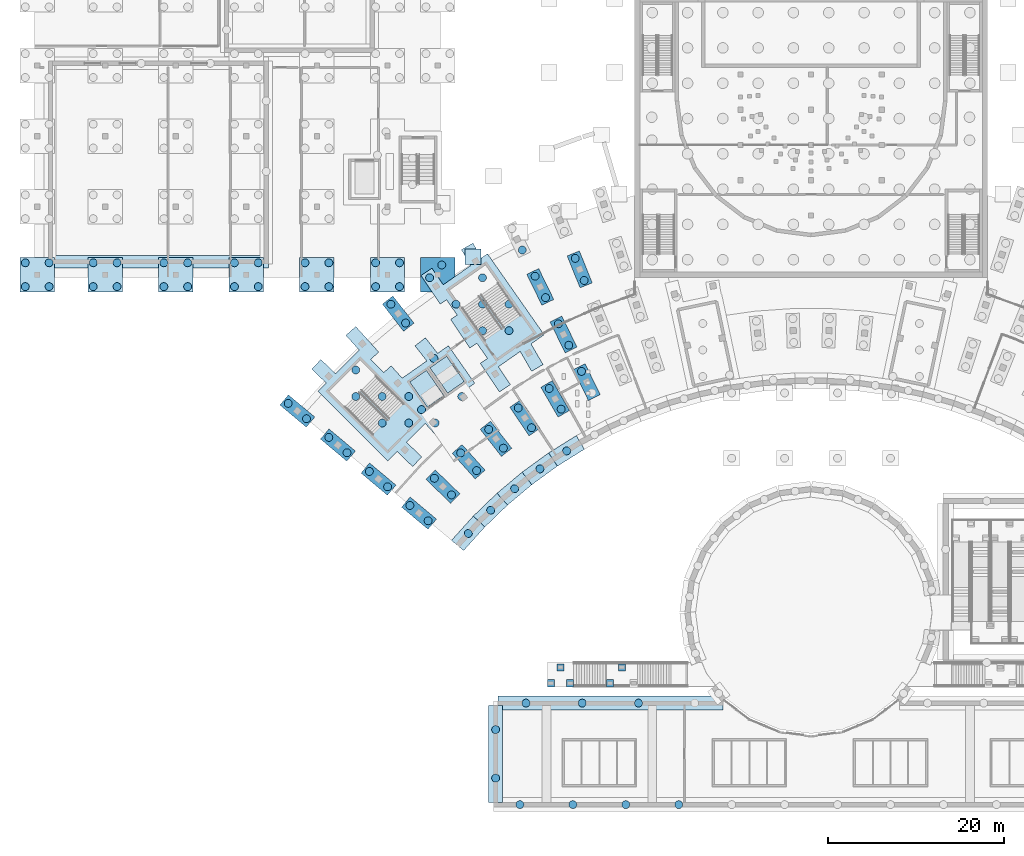
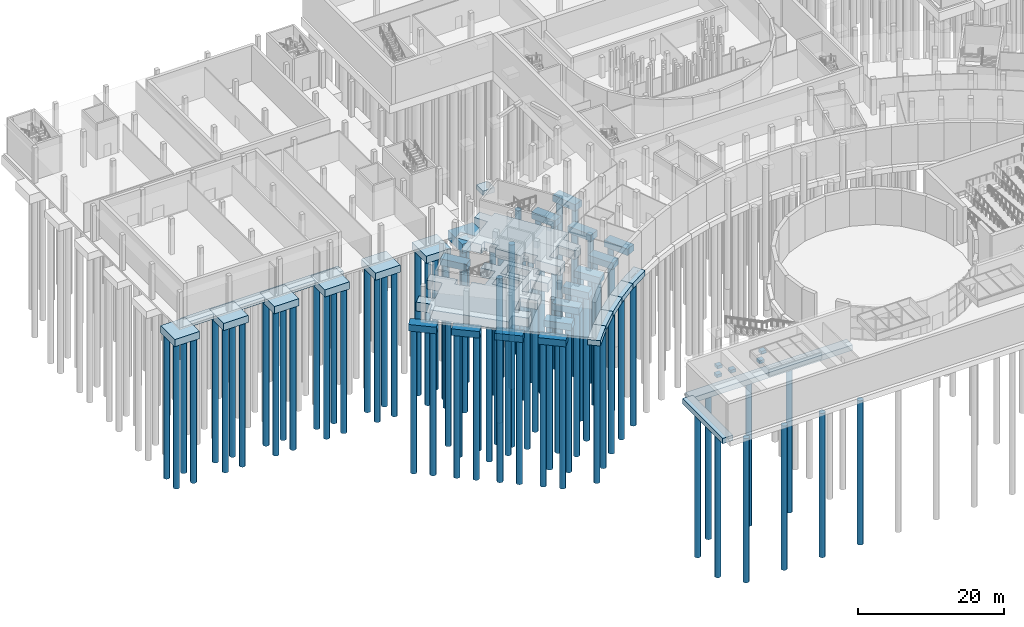
# One storey, part 1 of 66: 84 piles, 39 footings.
"""IFC4 building model written with IfcOpenShell, lengths in metres."""

from ifc_helpers import new_model, si_unit, direction, frame, origin, origin_2d, place, context, subcontext, project, spatial, polyline, circle, outline, extrude, material, material_profile, profile_set, type_object, element, save


model = new_model("IFC4")

# Units and contexts
model_context = context("Model", 3, precision=1e-05, world=origin(), true_north=direction((0.0, 1.0)))
body_context = subcontext(model_context, "Body", "Model", "MODEL_VIEW")
ifc_project = project(units=[si_unit("LENGTHUNIT", "METRE"), si_unit("AREAUNIT", "SQUARE_METRE"), si_unit("VOLUMEUNIT", "CUBIC_METRE"), si_unit("PLANEANGLEUNIT", "RADIAN"), si_unit("MASSUNIT", "GRAM", prefix="KILO")], contexts=[model_context])

# Site, building, storey
site_placement = place(None, origin())
site = spatial("IfcSite", under=ifc_project, at=site_placement, CompositionType="ELEMENT")
building_placement = place(site_placement, origin())
building = spatial("IfcBuilding", under=site, at=building_placement, Name="Lunette Opera House", CompositionType="ELEMENT")
storey_placement = place(building_placement, frame((0.0, 0.0, -6.0)))
storey = spatial("IfcBuildingStorey", under=building, at=storey_placement, Name="B1", CompositionType="ELEMENT", Elevation=-6.0)

# Piles
ifc_material_1 = material(Name="Concrete C40/50", Category="concrete")
ifc_material_profile = material_profile(ifc_material_1, circle(Radius=0.449951171875, at=origin_2d()), Name="BORED PILE 900")
ifc_profile_set = profile_set([ifc_material_profile], Name="Concrete C40/50")
pile_type = type_object("IfcPileType", Name="BORED PILE 900", PredefinedType="BORED", material=ifc_profile_set)
for number, where, z_axis, x_axis, name in (
    (1, (52.60302734375, 36.4140625, -1.300048828125), (0.0, 0.0, -1.0), (1.0, 0.0, 0.0), "pile-FC-CAP001-A"),
    (2, (50.534912109375, 38.14990234375, -1.300048828125), (0.0, 0.0, -1.0), (1.0, 0.0, 0.0), "pile-FC-CAP001-B"),
    (3, (55.2490234375, 39.35205078125, -1.300048828125), (0.0, 0.0, -1.0), (1.0, 0.0, 0.0), "pile-FC-CAP002-A"),
    (4, (53.306884765625, 41.22802734375, -1.300048828125), (0.0, 0.0, -1.0), (1.0, 0.0, 0.0), "pile-FC-CAP002-B"),
    (5, (58.093017578125, 42.09912109375, -1.300048828125), (0.0, 0.0, -1.0), (1.0, 0.0, 0.0), "pile-FC-CAP003-A"),
    (6, (56.287109375, 44.10498046875, -1.300048828125), (0.0, 0.0, -1.0), (1.0, 0.0, 0.0), "pile-FC-CAP003-B"),
    (7, (61.123046875, 44.64111328125, -1.300048828125), (0.0, 0.0, -1.0), (1.0, 0.0, 0.0), "pile-FC-CAP004-A"),
    (8, (59.4609375, 46.76904296875, -1.300048828125), (0.0, 0.0, -1.0), (1.0, 0.0, 0.0), "pile-FC-CAP004-B"),
    (9, (64.322021484375, 46.965087890625, -1.300048828125), (0.0, 0.0, -1.0), (1.0, 0.0, 0.0), "pile-FC-CAP005-A"),
    (10, (62.81201171875, 49.202880859375, -1.300048828125), (0.0, 0.0, -1.0), (1.0, 0.0, 0.0), "pile-FC-CAP005-B"),
    (11, (67.675048828125, 49.06005859375, -1.300048828125), (0.0, 0.0, -1.0), (1.0, 0.0, 0.0), "pile-FC-CAP006-A"),
    (12, (66.324951171875, 51.39794921875, -1.300048828125), (0.0, 0.0, -1.0), (1.0, 0.0, 0.0), "pile-FC-CAP006-B"),
    (13, (69.98193359375, 53.343017578125, -1.300048828125), (0.0, 0.0, -1.0), (1.0, 0.0, 0.0), "pile-FC-CAP007-B"),
    (14, (48.007080078125, 40.27001953125, -1.300048828125), (0.0, 0.0, -1.0), (1.0, 0.0, 0.0), "pile-FC-CAP023-A"),
    (15, (45.93896484375, 42.006103515625, -1.300048828125), (0.0, 0.0, -1.0), (1.0, 0.0, 0.0), "pile-FC-CAP023-B"),
    (16, (68.535888671875, 56.31005859375, -1.300048828125), (0.0, 0.0, -1.0), (1.0, 0.0, 0.0), "pile-FC-CAP024-A"),
    (17, (67.35205078125, 58.736083984375, -1.300048828125), (0.0, 0.0, -1.0), (1.0, 0.0, 0.0), "pile-FC-CAP024-B"),
    (18, (43.410888671875, 44.126953125, -1.300048828125), (0.0, 0.0, -1.0), (1.0, 0.0, 0.0), "pile-FC-CAP031-A"),
    (19, (41.343017578125, 45.863037109375, -1.300048828125), (0.0, 0.0, -1.0), (1.0, 0.0, 0.0), "pile-FC-CAP031-B"),
    (20, (65.906005859375, 61.702880859375, -1.300048828125), (0.0, 0.0, -1.0), (1.0, 0.0, 0.0), "pile-FC-CAP032-A"),
    (21, (64.721923828125, 64.12890625, -1.300048828125), (0.0, 0.0, -1.0), (1.0, 0.0, 0.0), "pile-FC-CAP032-B"),
    (22, (70.283935546875, 63.65087890625, -1.300048828125), (0.0, 0.0, -1.0), (1.0, 0.0, 0.0), "pile-FC-CAP033-A"),
    (23, (69.27197265625, 66.155029296875, -1.300048828125), (0.0, 0.0, -1.0), (1.0, 0.0, 0.0), "pile-FC-CAP033-B"),
    (24, (38.81494140625, 47.98388671875, -1.300048828125), (0.0, 0.0, -1.0), (1.0, 0.0, 0.0), "pile-FC-CAP039-A"),
    (25, (36.7470703125, 49.719970703125, -1.300048828125), (0.0, 0.0, -1.0), (1.0, 0.0, 0.0), "pile-FC-CAP039-B"),
    (26, (50.041015625, 58.824951171875, -1.300048828125), (0.0, 0.0, -1.0), (1.0, 0.0, 0.0), "pile-FC-CAP040-A"),
    (27, (48.37890625, 60.952880859375, -1.300048828125), (0.0, 0.0, -1.0), (1.0, 0.0, 0.0), "pile-FC-CAP040-B"),
    (28, (63.27587890625, 67.094970703125, -1.300048828125), (0.0, 0.0, -1.0), (1.0, 0.0, 0.0), "pile-FC-CAP041-A"),
    (29, (52.76806640625, 63.958984375, -1.699951171875), (0.0, 0.0, -1.0), (1.0, 0.0, 0.0), "pile-FC-RAFT05-01"),
    (30, (55.76806640625, 60.958984375, -1.699951171875), (0.0, 0.0, -1.0), (1.0, 0.0, 0.0), "pile-FC-RAFT05-02"),
    (31, (58.76806640625, 57.958984375, -1.699951171875), (0.0, 0.0, -1.0), (1.0, 0.0, 0.0), "pile-FC-RAFT05-03"),
    (32, (58.76806640625, 60.958984375, -1.699951171875), (0.0, 0.0, -1.0), (1.0, 0.0, 0.0), "pile-FC-RAFT05-04"),
    (33, (58.76806640625, 63.958984375, -1.699951171875), (0.0, 0.0, -1.0), (1.0, 0.0, 0.0), "pile-FC-RAFT05-05"),
    (34, (61.76806640625, 57.958984375, -1.699951171875), (0.0, 0.0, -1.0), (1.0, 0.0, 0.0), "pile-FC-RAFT05-06"),
    (35, (61.76806640625, 60.958984375, -1.699951171875), (0.0, 0.0, -1.0), (1.0, 0.0, 0.0), "pile-FC-RAFT05-07"),
    (36, (44.40087890625, 50.4970703125, -1.699951171875), (0.0, 0.0, -1.0), (1.0, 0.0, 0.0), "pile-FC-RAFT06-01"),
    (37, (44.40087890625, 53.4970703125, -1.699951171875), (0.0, 0.0, -1.0), (1.0, 0.0, 0.0), "pile-FC-RAFT06-02"),
    (38, (47.40087890625, 47.4970703125, -1.699951171875), (0.0, 0.0, -1.0), (1.0, 0.0, 0.0), "pile-FC-RAFT06-03"),
    (39, (47.40087890625, 50.4970703125, -1.699951171875), (0.0, 0.0, -1.0), (1.0, 0.0, 0.0), "pile-FC-RAFT06-04"),
    (40, (50.40087890625, 47.4970703125, -1.699951171875), (0.0, 0.0, -1.0), (1.0, 0.0, 0.0), "pile-FC-RAFT06-05"),
    (41, (50.40087890625, 50.4970703125, -1.699951171875), (0.0, 0.0, -1.0), (1.0, 0.0, 0.0), "pile-FC-RAFT06-06"),
    (42, (53.40087890625, 47.4970703125, -1.699951171875), (0.0, 0.0, -1.0), (1.0, 0.0, 0.0), "pile-FC-RAFT06-07"),
    (43, (51.85498046875, 49.011962890625, -1.699951171875), (0.0, 0.0, -1.0), (1.0, 0.0, 0.0), "pile-FC-RAFT06-08"),
    (44, (53.2548828125, 54.81201171875, -1.699951171875), (0.0, 0.0, -1.0), (1.0, 0.0, 0.0), "pile-FC-RAFT06-09"),
    (45, (56.40087890625, 50.4970703125, -1.699951171875), (0.0, 0.0, -1.0), (1.0, 0.0, 0.0), "pile-FC-RAFT06-10"),
    (46, (57.153076171875, 34.97802734375, -1.10009765625), (0.0, 0.0, -1.0), (1.0, 0.0, 0.0), "pile-FC-SF01-A"),
    (47, (59.68798828125, 37.60205078125, -1.10009765625), (0.0, 0.0, -1.0), (1.0, 0.0, 0.0), "pile-FC-SF02-A"),
    (48, (62.39892578125, 40.0439453125, -1.10009765625), (0.0, 0.0, -1.0), (1.0, 0.0, 0.0), "pile-FC-SF03-A"),
    (49, (65.27392578125, 42.2900390625, -1.10009765625), (0.0, 0.0, -1.0), (1.0, 0.0, 0.0), "pile-FC-SF04-A"),
    (50, (68.299072265625, 44.3310546875, -1.10009765625), (0.0, 0.0, -1.0), (1.0, 0.0, 0.0), "pile-FC-SF05-A"),
    (51, (6.949951171875, 62.949951171875, -1.39990234375), (0.0, 0.0, -1.0), (1.0, 0.0, 0.0), "pile-RW-CAP001-1"),
    (52, (9.64990234375, 62.949951171875, -1.39990234375), (0.0, 0.0, -1.0), (1.0, 0.0, 0.0), "pile-RW-CAP001-2"),
    (53, (6.949951171875, 65.64990234375, -1.39990234375), (0.0, 0.0, -1.0), (1.0, 0.0, 0.0), "pile-RW-CAP001-3"),
    (54, (9.64990234375, 65.64990234375, -1.39990234375), (0.0, 0.0, -1.0), (1.0, 0.0, 0.0), "pile-RW-CAP001-4"),
    (55, (14.64990234375, 62.949951171875, -1.39990234375), (0.0, 0.0, -1.0), (1.0, 0.0, 0.0), "pile-RW-CAP006-1"),
    (56, (17.35009765625, 62.949951171875, -1.39990234375), (0.0, 0.0, -1.0), (1.0, 0.0, 0.0), "pile-RW-CAP006-2"),
    (57, (14.64990234375, 65.64990234375, -1.39990234375), (0.0, 0.0, -1.0), (1.0, 0.0, 0.0), "pile-RW-CAP006-3"),
    (58, (17.35009765625, 65.64990234375, -1.39990234375), (0.0, 0.0, -1.0), (1.0, 0.0, 0.0), "pile-RW-CAP006-4"),
    (59, (22.64990234375, 62.949951171875, -1.39990234375), (0.0, 0.0, -1.0), (1.0, 0.0, 0.0), "pile-RW-CAP012-1"),
    (60, (25.35009765625, 62.949951171875, -1.39990234375), (0.0, 0.0, -1.0), (1.0, 0.0, 0.0), "pile-RW-CAP012-2"),
    (61, (22.64990234375, 65.64990234375, -1.39990234375), (0.0, 0.0, -1.0), (1.0, 0.0, 0.0), "pile-RW-CAP012-3"),
    (62, (25.35009765625, 65.64990234375, -1.39990234375), (0.0, 0.0, -1.0), (1.0, 0.0, 0.0), "pile-RW-CAP012-4"),
    (63, (30.64990234375, 62.949951171875, -1.39990234375), (0.0, 0.0, -1.0), (1.0, 0.0, 0.0), "pile-RW-CAP018-1"),
    (64, (33.35009765625, 62.949951171875, -1.39990234375), (0.0, 0.0, -1.0), (1.0, 0.0, 0.0), "pile-RW-CAP018-2"),
    (65, (30.64990234375, 65.64990234375, -1.39990234375), (0.0, 0.0, -1.0), (1.0, 0.0, 0.0), "pile-RW-CAP018-3"),
    (66, (33.35009765625, 65.64990234375, -1.39990234375), (0.0, 0.0, -1.0), (1.0, 0.0, 0.0), "pile-RW-CAP018-4"),
    (67, (38.64990234375, 62.949951171875, -1.39990234375), (0.0, 0.0, -1.0), (1.0, 0.0, 0.0), "pile-RW-CAP025-1"),
    (68, (41.35009765625, 62.949951171875, -1.39990234375), (0.0, 0.0, -1.0), (1.0, 0.0, 0.0), "pile-RW-CAP025-2"),
    (69, (38.64990234375, 65.64990234375, -1.39990234375), (0.0, 0.0, -1.0), (1.0, 0.0, 0.0), "pile-RW-CAP025-3"),
    (70, (41.35009765625, 65.64990234375, -1.39990234375), (0.0, 0.0, -1.0), (1.0, 0.0, 0.0), "pile-RW-CAP025-4"),
    (71, (46.64990234375, 62.949951171875, -1.39990234375), (0.0, 0.0, -1.0), (1.0, 0.0, 0.0), "pile-RW-CAP032-1"),
    (72, (49.35009765625, 62.949951171875, -1.39990234375), (0.0, 0.0, -1.0), (1.0, 0.0, 0.0), "pile-RW-CAP032-2"),
    (73, (46.64990234375, 65.64990234375, -1.39990234375), (0.0, 0.0, -1.0), (1.0, 0.0, 0.0), "pile-RW-CAP032-3"),
    (74, (49.35009765625, 65.64990234375, -1.39990234375), (0.0, 0.0, -1.0), (1.0, 0.0, 0.0), "pile-RW-CAP032-4"),
    (75, (54.14990234375, 65.39892578125, -1.699951171875), (0.0, 0.0, -1.0), (1.0, 0.0, 0.0), "pile-RW-CAP035-1"),
    (76, (63.0, 4.25, -1.10009765625), (0.0, 0.0, -1.0), (1.0, 0.0, 0.0), "pile-SF-SFCNS-1"),
    (77, (69.0, 4.25, -1.10009765625), (0.0, 0.0, -1.0), (1.0, 0.0, 0.0), "pile-SF-SFCNS-2"),
    (78, (75.0, 4.25, -1.10009765625), (0.0, 0.0, -1.0), (1.0, 0.0, 0.0), "pile-SF-SFCNS-3"),
    (79, (81.0, 4.25, -1.10009765625), (0.0, 0.0, -1.0), (1.0, 0.0, 0.0), "pile-SF-SFCNS-4"),
    (80, (60.25, 7.25, -1.10009765625), (0.0, 0.0, -1.0), (1.0, 0.0, 0.0), "pile-SF-SFCNW-1"),
    (81, (60.25, 12.75, -1.10009765625), (0.0, 0.0, -1.0), (1.0, 0.0, 0.0), "pile-SF-SFCNW-2"),
    (82, (63.68798828125, 15.75, -1.10009765625), (0.0, 0.0, -1.0), (1.0, 0.0, 0.0), "pile-SF-SFCNNW-1"),
    (83, (70.06201171875, 15.75, -1.10009765625), (0.0, 0.0, -1.0), (1.0, 0.0, 0.0), "pile-SF-SFCNNW-2"),
    (84, (76.43798828125, 15.75, -1.10009765625), (0.0, 0.0, -1.0), (1.0, 0.0, 0.0), "pile-SF-SFCNNW-3"),
):
    element("IfcPile", number, at=place(storey_placement, frame(where, z_axis=z_axis, x_axis=x_axis)), inside=storey, type_object=pile_type, Name=name, PredefinedType="BORED", context=body_context, shape_type="SweptSolid", body=[
        extrude(circle(Radius=0.449951171875, at=origin_2d()), origin(), (0.0, 0.0, 1.0), 24.10009765625),
    ])

# Footings
ifc_material_2 = material(Name="Concrete C40/50", Category="concrete")
footing_type_1 = type_object("IfcFootingType", Name="CORE RAFT 1500", PredefinedType="PILE_CAP", material=ifc_material_2)
footing_1_placement = place(storey_placement, frame((0.0, 0.0, -1.800048828125)))
element("IfcFooting", 85, at=footing_1_placement, inside=storey, type_object=footing_type_1, Name="ftg-FC-RAFT05", PredefinedType="PILE_CAP", context=body_context, shape_type="SweptSolid", body=[
    extrude(outline(polyline([(59.327880859375, 54.81396484375), (58.5, 54.2548828125), (60.680908203125, 51.02197265625), (61.924072265625, 51.861083984375), (60.569091796875, 53.8701171875), (63.034912109375, 55.596923828125), (64.324951171875, 53.362060546875), (65.625, 54.112060546875), (64.26904296875, 56.4609375), (65.75, 57.498046875), (59.325927734375, 66.673095703125), (58.64697265625, 66.197021484375), (57.675048828125, 67.882080078125), (56.375, 67.132080078125), (57.4140625, 65.333984375), (54.304931640625, 63.156982421875), (53.031982421875, 65.04296875), (51.7890625, 64.2041015625), (53.969970703125, 60.970947265625), (54.680908203125, 61.450927734375), (55.885009765625, 59.72998046875), (55.14404296875, 59.22998046875), (57.324951171875, 55.9970703125), (58.123046875, 56.534912109375), (59.327880859375, 54.81396484375)])), origin(), (0.0, 0.0, 1.0), 1.5),
])
footing_2_placement = place(storey_placement, frame((0.0, 0.0, -1.800048828125)))
element("IfcFooting", 86, at=footing_2_placement, inside=storey, type_object=footing_type_1, Name="ftg-FC-RAFT06", PredefinedType="PILE_CAP", context=body_context, shape_type="SweptSolid", body=[
    extrude(outline(polyline([(40.10302734375, 51.087890625), (48.02294921875, 43.16796875), (49.10107421875, 44.2470703125), (50.843994140625, 42.56396484375), (51.885986328125, 43.64306640625), (50.162109375, 45.306884765625), (52.284912109375, 47.429931640625), (53.923095703125, 45.610107421875), (55.0380859375, 46.614013671875), (53.1689453125, 48.68896484375), (55.65087890625, 50.427001953125), (57.2080078125, 48.43505859375), (58.389892578125, 49.35791015625), (56.882080078125, 51.2880859375), (57.886962890625, 51.991943359375), (54.903076171875, 56.2509765625), (53.676025390625, 55.39111328125), (52.2939453125, 57.158935546875), (51.112060546875, 56.236083984375), (52.446044921875, 54.529052734375), (49.6640625, 52.58203125), (48.4140625, 53.970947265625), (47.583984375, 53.22412109375), (46.096923828125, 54.7109375), (47.008056640625, 55.531982421875), (44.39892578125, 58.429931640625), (43.283935546875, 57.426025390625), (44.780029296875, 55.764892578125), (42.10400390625, 53.089111328125), (40.447998046875, 54.68798828125), (39.406005859375, 53.60888671875), (41.0439453125, 52.028076171875), (40.10302734375, 51.087890625)]), holes=[polyline([(54.408935546875, 50.593994140625), (52.52392578125, 49.27490234375), (50.51708984375, 52.14208984375), (52.402099609375, 53.4609375), (54.408935546875, 50.593994140625)]), polyline([(56.702880859375, 52.199951171875), (54.818115234375, 50.881103515625), (52.81103515625, 53.748046875), (54.695068359375, 55.06689453125), (56.702880859375, 52.199951171875)])]), origin(), (0.0, 0.0, 1.0), 1.5),
])
footing_3_placement = place(storey_placement, frame((0.0, 0.0, -1.800048828125)))
element("IfcFooting", 87, at=footing_3_placement, inside=storey, type_object=footing_type_1, Name="ftg-RW-CAP035", PredefinedType="PILE_CAP", context=body_context, shape_type="SweptSolid", body=[
    extrude(outline(polyline([(51.75, 62.35009765625), (53.0390625, 62.35009765625), (51.7890625, 64.2041015625), (53.031982421875, 65.04296875), (54.304931640625, 63.156982421875), (55.64990234375, 64.09912109375), (55.64990234375, 66.25), (51.75, 66.25), (51.75, 62.35009765625)])), origin(), (0.0, 0.0, 1.0), 1.5),
])
ifc_material_3 = material(Name="Concrete C35/45", Category="concrete")
footing_type_2 = type_object("IfcFootingType", Name="LIFT PIT FLOOR 300", PredefinedType="PAD_FOOTING", material=ifc_material_3)
footing_4_placement = place(storey_placement, frame((0.0, 0.0, -1.800048828125)))
element("IfcFooting", 88, at=footing_4_placement, inside=storey, type_object=footing_type_2, Name="FL2 pit floor", PredefinedType="PAD_FOOTING", context=body_context, shape_type="SweptSolid", body=[
    extrude(outline(polyline([(56.702880859375, 52.199951171875), (54.818115234375, 50.881103515625), (52.81103515625, 53.748046875), (54.695068359375, 55.06689453125), (56.702880859375, 52.199951171875)])), origin(), (0.0, 0.0, 1.0), 0.300048828125),
])
footing_5_placement = place(storey_placement, frame((0.0, 0.0, -1.800048828125)))
element("IfcFooting", 89, at=footing_5_placement, inside=storey, type_object=footing_type_2, Name="LF1 pit floor", PredefinedType="PAD_FOOTING", context=body_context, shape_type="SweptSolid", body=[
    extrude(outline(polyline([(54.408935546875, 50.593994140625), (52.52392578125, 49.27490234375), (50.51708984375, 52.14208984375), (52.402099609375, 53.4609375), (54.408935546875, 50.593994140625)])), origin(), (0.0, 0.0, 1.0), 0.300048828125),
])
ifc_material_4 = material(Name="Concrete C35/45", Category="concrete")
footing_type_3 = type_object("IfcFootingType", Name="PAD FOOTING 1800X1800", PredefinedType="PAD_FOOTING", material=ifc_material_4)
footing_6_placement = place(storey_placement, frame((0.0, 0.0, 4.14990234375)))
element("IfcFooting", 90, at=footing_6_placement, inside=storey, type_object=footing_type_3, Name="ftg-PP-PAD-PC-WI01", PredefinedType="PAD_FOOTING", context=body_context, shape_type="SweptSolid", body=[
    extrude(outline(polyline([(58.60009765625, 65.43798828125), (58.60009765625, 67.238037109375), (56.800048828125, 67.238037109375), (56.800048828125, 65.43798828125), (58.60009765625, 65.43798828125)])), origin(), (0.0, 0.0, 1.0), 0.800048828125),
])
ifc_material_5 = material(Name="Concrete C40/50", Category="concrete")
footing_type_4 = type_object("IfcFootingType", Name="PILE CAP 3900X1500", PredefinedType="PILE_CAP", material=ifc_material_5)
footing_7_placement = place(storey_placement, frame((0.0, 0.0, -1.39990234375)))
element("IfcFooting", 91, at=footing_7_placement, inside=storey, type_object=footing_type_4, Name="ftg-FC-CAP001", PredefinedType="PILE_CAP", context=body_context, shape_type="SweptSolid", body=[
    extrude(outline(polyline([(52.5810546875, 35.4541015625), (53.544921875, 36.60302734375), (50.556884765625, 39.110107421875), (49.593017578125, 37.9609375), (52.5810546875, 35.4541015625)])), origin(), (0.0, 0.0, 1.0), 1.099853515625),
])
footing_8_placement = place(storey_placement, frame((0.0, 0.0, -1.39990234375)))
element("IfcFooting", 92, at=footing_8_placement, inside=storey, type_object=footing_type_4, Name="ftg-FC-CAP002", PredefinedType="PILE_CAP", context=body_context, shape_type="SweptSolid", body=[
    extrude(outline(polyline([(55.159912109375, 38.39599609375), (56.201904296875, 39.47509765625), (53.39599609375, 42.18408203125), (52.35400390625, 41.10498046875), (55.159912109375, 38.39599609375)])), origin(), (0.0, 0.0, 1.0), 1.099853515625),
])
footing_9_placement = place(storey_placement, frame((0.0, 0.0, -1.39990234375)))
element("IfcFooting", 93, at=footing_9_placement, inside=storey, type_object=footing_type_4, Name="ftg-FC-CAP003", PredefinedType="PILE_CAP", context=body_context, shape_type="SweptSolid", body=[
    extrude(outline(polyline([(57.93701171875, 41.15087890625), (59.052001953125, 42.155029296875), (56.443115234375, 45.052978515625), (55.327880859375, 44.049072265625), (57.93701171875, 41.15087890625)])), origin(), (0.0, 0.0, 1.0), 1.099853515625),
])
footing_10_placement = place(storey_placement, frame((0.0, 0.0, -1.39990234375)))
element("IfcFooting", 94, at=footing_10_placement, inside=storey, type_object=footing_type_4, Name="ftg-FC-CAP004", PredefinedType="PILE_CAP", context=body_context, shape_type="SweptSolid", body=[
    extrude(outline(polyline([(60.902099609375, 43.70703125), (62.083984375, 44.6298828125), (59.681884765625, 47.702880859375), (58.5, 46.780029296875), (60.902099609375, 43.70703125)])), origin(), (0.0, 0.0, 1.0), 1.099853515625),
])
footing_11_placement = place(storey_placement, frame((0.0, 0.0, -1.39990234375)))
element("IfcFooting", 95, at=footing_11_placement, inside=storey, type_object=footing_type_4, Name="ftg-FC-CAP005", PredefinedType="PILE_CAP", context=body_context, shape_type="SweptSolid", body=[
    extrude(outline(polyline([(64.035888671875, 46.048095703125), (65.279052734375, 46.886962890625), (63.097900390625, 50.1201171875), (61.85498046875, 49.281005859375), (64.035888671875, 46.048095703125)])), origin(), (0.0, 0.0, 1.0), 1.099853515625),
])
footing_12_placement = place(storey_placement, frame((0.0, 0.0, -1.39990234375)))
element("IfcFooting", 96, at=footing_12_placement, inside=storey, type_object=footing_type_4, Name="ftg-FC-CAP006", PredefinedType="PILE_CAP", context=body_context, shape_type="SweptSolid", body=[
    extrude(outline(polyline([(67.324951171875, 48.1650390625), (68.625, 48.9150390625), (66.675048828125, 52.29296875), (65.375, 51.54296875), (67.324951171875, 48.1650390625)])), origin(), (0.0, 0.0, 1.0), 1.099853515625),
])
footing_13_placement = place(storey_placement, frame((0.0, 0.0, -1.39990234375)))
element("IfcFooting", 97, at=footing_13_placement, inside=storey, type_object=footing_type_4, Name="ftg-FC-CAP007", PredefinedType="PILE_CAP", context=body_context, shape_type="SweptSolid", body=[
    extrude(outline(polyline([(70.7548828125, 50.049072265625), (72.10302734375, 50.7060546875), (70.39306640625, 54.2109375), (69.044921875, 53.553955078125), (70.7548828125, 50.049072265625)])), origin(), (0.0, 0.0, 1.0), 1.099853515625),
])
footing_14_placement = place(storey_placement, frame((0.0, 0.0, -1.39990234375)))
element("IfcFooting", 98, at=footing_14_placement, inside=storey, type_object=footing_type_4, Name="ftg-FC-CAP023", PredefinedType="PILE_CAP", context=body_context, shape_type="SweptSolid", body=[
    extrude(outline(polyline([(47.985107421875, 39.31005859375), (48.948974609375, 40.458984375), (45.9609375, 42.966064453125), (44.9970703125, 41.81689453125), (47.985107421875, 39.31005859375)])), origin(), (0.0, 0.0, 1.0), 1.099853515625),
])
footing_15_placement = place(storey_placement, frame((0.0, 0.0, -1.39990234375)))
element("IfcFooting", 99, at=footing_15_placement, inside=storey, type_object=footing_type_4, Name="ftg-FC-CAP024", PredefinedType="PILE_CAP", context=body_context, shape_type="SweptSolid", body=[
    extrude(outline(polyline([(68.125, 55.44189453125), (69.472900390625, 56.09912109375), (67.762939453125, 59.60400390625), (66.4150390625, 58.947021484375), (68.125, 55.44189453125)])), origin(), (0.0, 0.0, 1.0), 1.099853515625),
])
footing_16_placement = place(storey_placement, frame((0.0, 0.0, -1.39990234375)))
element("IfcFooting", 100, at=footing_16_placement, inside=storey, type_object=footing_type_4, Name="ftg-FC-CAP031", PredefinedType="PILE_CAP", context=body_context, shape_type="SweptSolid", body=[
    extrude(outline(polyline([(43.388916015625, 43.1669921875), (44.35302734375, 44.31591796875), (41.364990234375, 46.822998046875), (40.40087890625, 45.674072265625), (43.388916015625, 43.1669921875)])), origin(), (0.0, 0.0, 1.0), 1.099853515625),
])
footing_17_placement = place(storey_placement, frame((0.0, 0.0, -1.39990234375)))
element("IfcFooting", 101, at=footing_17_placement, inside=storey, type_object=footing_type_4, Name="ftg-FC-CAP032", PredefinedType="PILE_CAP", context=body_context, shape_type="SweptSolid", body=[
    extrude(outline(polyline([(65.4951171875, 60.8349609375), (66.843017578125, 61.491943359375), (65.133056640625, 64.9970703125), (63.784912109375, 64.340087890625), (65.4951171875, 60.8349609375)])), origin(), (0.0, 0.0, 1.0), 1.099853515625),
])
footing_18_placement = place(storey_placement, frame((0.0, 0.0, -1.39990234375)))
element("IfcFooting", 102, at=footing_18_placement, inside=storey, type_object=footing_type_4, Name="ftg-FC-CAP033", PredefinedType="PILE_CAP", context=body_context, shape_type="SweptSolid", body=[
    extrude(outline(polyline([(69.81298828125, 62.81396484375), (71.2041015625, 63.3759765625), (69.742919921875, 66.991943359375), (68.35205078125, 66.429931640625), (69.81298828125, 62.81396484375)])), origin(), (0.0, 0.0, 1.0), 1.099853515625),
])
footing_19_placement = place(storey_placement, frame((0.0, 0.0, -1.39990234375)))
element("IfcFooting", 103, at=footing_19_placement, inside=storey, type_object=footing_type_4, Name="ftg-FC-CAP039", PredefinedType="PILE_CAP", context=body_context, shape_type="SweptSolid", body=[
    extrude(outline(polyline([(38.79296875, 47.02392578125), (39.757080078125, 48.173095703125), (36.76904296875, 50.679931640625), (35.804931640625, 49.531005859375), (38.79296875, 47.02392578125)])), origin(), (0.0, 0.0, 1.0), 1.099853515625),
])
footing_20_placement = place(storey_placement, frame((0.0, 0.0, -1.39990234375)))
element("IfcFooting", 104, at=footing_20_placement, inside=storey, type_object=footing_type_4, Name="ftg-FC-CAP040", PredefinedType="PILE_CAP", context=body_context, shape_type="SweptSolid", body=[
    extrude(outline(polyline([(49.820068359375, 57.89111328125), (51.001953125, 58.81396484375), (48.60009765625, 61.886962890625), (47.41796875, 60.964111328125), (49.820068359375, 57.89111328125)])), origin(), (0.0, 0.0, 1.0), 1.099853515625),
])
ifc_material_6 = material(Name="Concrete C35/45", Category="concrete")
footing_type_5 = type_object("IfcFootingType", Name="PILE CAP 3900X3900", PredefinedType="PILE_CAP", material=ifc_material_6)
footing_21_placement = place(storey_placement, frame((0.0, 0.0, -1.5)))
element("IfcFooting", 105, at=footing_21_placement, inside=storey, type_object=footing_type_5, Name="ftg-RW-CAP001", PredefinedType="PILE_CAP", context=body_context, shape_type="SweptSolid", body=[
    extrude(outline(polyline([(10.25, 62.35009765625), (10.25, 66.25), (6.35009765625, 66.25), (6.35009765625, 62.35009765625), (10.25, 62.35009765625)])), origin(), (0.0, 0.0, 1.0), 1.199951171875),
])
footing_22_placement = place(storey_placement, frame((0.0, 0.0, -1.5)))
element("IfcFooting", 106, at=footing_22_placement, inside=storey, type_object=footing_type_5, Name="ftg-RW-CAP006", PredefinedType="PILE_CAP", context=body_context, shape_type="SweptSolid", body=[
    extrude(outline(polyline([(17.949951171875, 62.35009765625), (17.949951171875, 66.25), (14.050048828125, 66.25), (14.050048828125, 62.35009765625), (17.949951171875, 62.35009765625)])), origin(), (0.0, 0.0, 1.0), 1.199951171875),
])
footing_23_placement = place(storey_placement, frame((0.0, 0.0, -1.5)))
element("IfcFooting", 107, at=footing_23_placement, inside=storey, type_object=footing_type_5, Name="ftg-RW-CAP012", PredefinedType="PILE_CAP", context=body_context, shape_type="SweptSolid", body=[
    extrude(outline(polyline([(25.949951171875, 62.35009765625), (25.949951171875, 66.25), (22.050048828125, 66.25), (22.050048828125, 62.35009765625), (25.949951171875, 62.35009765625)])), origin(), (0.0, 0.0, 1.0), 1.199951171875),
])
footing_24_placement = place(storey_placement, frame((0.0, 0.0, -1.5)))
element("IfcFooting", 108, at=footing_24_placement, inside=storey, type_object=footing_type_5, Name="ftg-RW-CAP018", PredefinedType="PILE_CAP", context=body_context, shape_type="SweptSolid", body=[
    extrude(outline(polyline([(33.949951171875, 62.35009765625), (33.949951171875, 66.25), (30.050048828125, 66.25), (30.050048828125, 62.35009765625), (33.949951171875, 62.35009765625)])), origin(), (0.0, 0.0, 1.0), 1.199951171875),
])
footing_25_placement = place(storey_placement, frame((0.0, 0.0, -1.5)))
element("IfcFooting", 109, at=footing_25_placement, inside=storey, type_object=footing_type_5, Name="ftg-RW-CAP025", PredefinedType="PILE_CAP", context=body_context, shape_type="SweptSolid", body=[
    extrude(outline(polyline([(41.949951171875, 62.35009765625), (41.949951171875, 66.25), (38.050048828125, 66.25), (38.050048828125, 62.35009765625), (41.949951171875, 62.35009765625)])), origin(), (0.0, 0.0, 1.0), 1.199951171875),
])
footing_26_placement = place(storey_placement, frame((0.0, 0.0, -1.5)))
element("IfcFooting", 110, at=footing_26_placement, inside=storey, type_object=footing_type_5, Name="ftg-RW-CAP032", PredefinedType="PILE_CAP", context=body_context, shape_type="SweptSolid", body=[
    extrude(outline(polyline([(49.949951171875, 62.35009765625), (49.949951171875, 66.25), (46.050048828125, 66.25), (46.050048828125, 62.35009765625), (49.949951171875, 62.35009765625)])), origin(), (0.0, 0.0, 1.0), 1.199951171875),
])
ifc_material_7 = material(Name="Concrete C35/45", Category="concrete")
footing_type_6 = type_object("IfcFootingType", Name="RAMP PIER FOOTING", PredefinedType="PAD_FOOTING", material=ifc_material_7)
footing_27_placement = place(storey_placement, frame((0.0, 0.0, -0.5)))
element("IfcFooting", 111, at=footing_27_placement, inside=storey, type_object=footing_type_6, Name="Bearing pier footing FS1-L1-P1", PredefinedType="PAD_FOOTING", context=body_context, shape_type="SweptSolid", body=[
    extrude(outline(polyline([(72.800048828125, 17.60009765625), (73.60009765625, 17.60009765625), (73.60009765625, 18.39990234375), (72.800048828125, 18.39990234375), (72.800048828125, 17.60009765625)])), origin(), (0.0, 0.0, 1.0), 0.5),
])
footing_28_placement = place(storey_placement, frame((0.0, 0.0, -0.5)))
element("IfcFooting", 112, at=footing_28_placement, inside=storey, type_object=footing_type_6, Name="Bearing pier footing FS1-L1-P3", PredefinedType="PAD_FOOTING", context=body_context, shape_type="SweptSolid", body=[
    extrude(outline(polyline([(74.14990234375, 19.39990234375), (74.949951171875, 19.39990234375), (74.949951171875, 20.199951171875), (74.14990234375, 20.199951171875), (74.14990234375, 19.39990234375)])), origin(), (0.0, 0.0, 1.0), 0.5),
])
footing_29_placement = place(storey_placement, frame((0.0, 0.0, -0.5)))
element("IfcFooting", 113, at=footing_29_placement, inside=storey, type_object=footing_type_6, Name="Bearing pier footing FS1-L2-P1", PredefinedType="PAD_FOOTING", context=body_context, shape_type="SweptSolid", body=[
    extrude(outline(polyline([(66.10009765625, 17.60009765625), (66.89990234375, 17.60009765625), (66.89990234375, 18.39990234375), (66.10009765625, 18.39990234375), (66.10009765625, 17.60009765625)])), origin(), (0.0, 0.0, 1.0), 0.5),
])
footing_30_placement = place(storey_placement, frame((0.0, 0.0, -0.5)))
element("IfcFooting", 114, at=footing_30_placement, inside=storey, type_object=footing_type_6, Name="Bearing pier footing FS1-L2-P2", PredefinedType="PAD_FOOTING", context=body_context, shape_type="SweptSolid", body=[
    extrude(outline(polyline([(68.300048828125, 17.60009765625), (69.10009765625, 17.60009765625), (69.10009765625, 18.39990234375), (68.300048828125, 18.39990234375), (68.300048828125, 17.60009765625)])), origin(), (0.0, 0.0, 1.0), 0.5),
])
footing_31_placement = place(storey_placement, frame((0.0, 0.0, -0.5)))
element("IfcFooting", 115, at=footing_31_placement, inside=storey, type_object=footing_type_6, Name="Bearing pier footing FS1-L2-P3", PredefinedType="PAD_FOOTING", context=body_context, shape_type="SweptSolid", body=[
    extrude(outline(polyline([(67.199951171875, 19.39990234375), (68.0, 19.39990234375), (68.0, 20.199951171875), (67.199951171875, 20.199951171875), (67.199951171875, 19.39990234375)])), origin(), (0.0, 0.0, 1.0), 0.5),
])
ifc_material_8 = material(Name="Concrete C35/45", Category="concrete")
footing_type_7 = type_object("IfcFootingType", Name="STRIP FOOTING 1800X900", PredefinedType="STRIP_FOOTING", material=ifc_material_8)
footing_32_placement = place(storey_placement, frame((0.0, 0.0, -1.199951171875)))
element("IfcFooting", 116, at=footing_32_placement, inside=storey, type_object=footing_type_7, Name="ftg-FC-SF01", PredefinedType="STRIP_FOOTING", context=body_context, shape_type="SweptSolid", body=[
    extrude(outline(polyline([(56.625, 33.0390625), (59.02587890625, 35.705078125), (57.73095703125, 36.9560546875), (55.24609375, 34.196044921875), (56.625, 33.0390625)])), origin(), (0.0, 0.0, 1.0), 0.89990234375),
])
footing_33_placement = place(storey_placement, frame((0.0, 0.0, -1.199951171875)))
element("IfcFooting", 117, at=footing_33_placement, inside=storey, type_object=footing_type_7, Name="ftg-FC-SF02", PredefinedType="STRIP_FOOTING", context=body_context, shape_type="SweptSolid", body=[
    extrude(outline(polyline([(59.02587890625, 35.705078125), (61.60693359375, 38.197998046875), (60.402099609375, 39.534912109375), (57.73095703125, 36.9560546875), (59.02587890625, 35.705078125)])), origin(), (0.0, 0.0, 1.0), 0.89990234375),
])
footing_34_placement = place(storey_placement, frame((0.0, 0.0, -1.199951171875)))
element("IfcFooting", 118, at=footing_34_placement, inside=storey, type_object=footing_type_7, Name="ftg-FC-SF03", PredefinedType="STRIP_FOOTING", context=body_context, shape_type="SweptSolid", body=[
    extrude(outline(polyline([(61.60693359375, 38.197998046875), (64.35498046875, 40.50390625), (63.2470703125, 41.922119140625), (60.402099609375, 39.534912109375), (61.60693359375, 38.197998046875)])), origin(), (0.0, 0.0, 1.0), 0.89990234375),
])
footing_35_placement = place(storey_placement, frame((0.0, 0.0, -1.199951171875)))
element("IfcFooting", 119, at=footing_35_placement, inside=storey, type_object=footing_type_7, Name="ftg-FC-SF04", PredefinedType="STRIP_FOOTING", context=body_context, shape_type="SweptSolid", body=[
    extrude(outline(polyline([(64.35498046875, 40.50390625), (67.257080078125, 42.613037109375), (66.2509765625, 44.10498046875), (63.2470703125, 41.922119140625), (64.35498046875, 40.50390625)])), origin(), (0.0, 0.0, 1.0), 0.89990234375),
])
footing_36_placement = place(storey_placement, frame((0.0, 0.0, -1.199951171875)))
element("IfcFooting", 120, at=footing_36_placement, inside=storey, type_object=footing_type_7, Name="ftg-FC-SF05", PredefinedType="STRIP_FOOTING", context=body_context, shape_type="SweptSolid", body=[
    extrude(outline(polyline([(67.257080078125, 42.613037109375), (70.300048828125, 44.513916015625), (69.39990234375, 46.072998046875), (66.2509765625, 44.10498046875), (67.257080078125, 42.613037109375)])), origin(), (0.0, 0.0, 1.0), 0.89990234375),
])
footing_37_placement = place(storey_placement, frame((0.0, 0.0, -1.199951171875)))
element("IfcFooting", 121, at=footing_37_placement, inside=storey, type_object=footing_type_7, Name="ftg-RW-SFHWS", PredefinedType="STRIP_FOOTING", context=body_context, shape_type="SweptSolid", body=[
    extrude(outline(polyline([(9.5, 66.449951171875), (9.5, 65.050048828125), (34.5, 65.050048828125), (34.5, 66.449951171875), (9.5, 66.449951171875)])), origin(), (0.0, 0.0, 1.0), 0.89990234375),
])
footing_38_placement = place(storey_placement, frame((0.0, 0.0, -1.199951171875)))
element("IfcFooting", 122, at=footing_38_placement, inside=storey, type_object=footing_type_7, Name="ftg-SF-SFCNW", PredefinedType="STRIP_FOOTING", context=body_context, shape_type="SweptSolid", body=[
    extrude(outline(polyline([(59.449951171875, 4.5), (61.050048828125, 4.5), (61.050048828125, 15.5), (59.449951171875, 15.5), (59.449951171875, 4.5)])), origin(), (0.0, 0.0, 1.0), 0.89990234375),
])
footing_39_placement = place(storey_placement, frame((0.0, 0.0, -1.199951171875)))
element("IfcFooting", 123, at=footing_39_placement, inside=storey, type_object=footing_type_7, Name="ftg-SF-SFCNNW", PredefinedType="STRIP_FOOTING", context=body_context, shape_type="SweptSolid", body=[
    extrude(outline(polyline([(60.5, 16.550048828125), (60.5, 14.949951171875), (86.0, 14.949951171875), (86.0, 16.550048828125), (60.5, 16.550048828125)])), origin(), (0.0, 0.0, 1.0), 0.89990234375),
])

save(model, "model.ifc")
